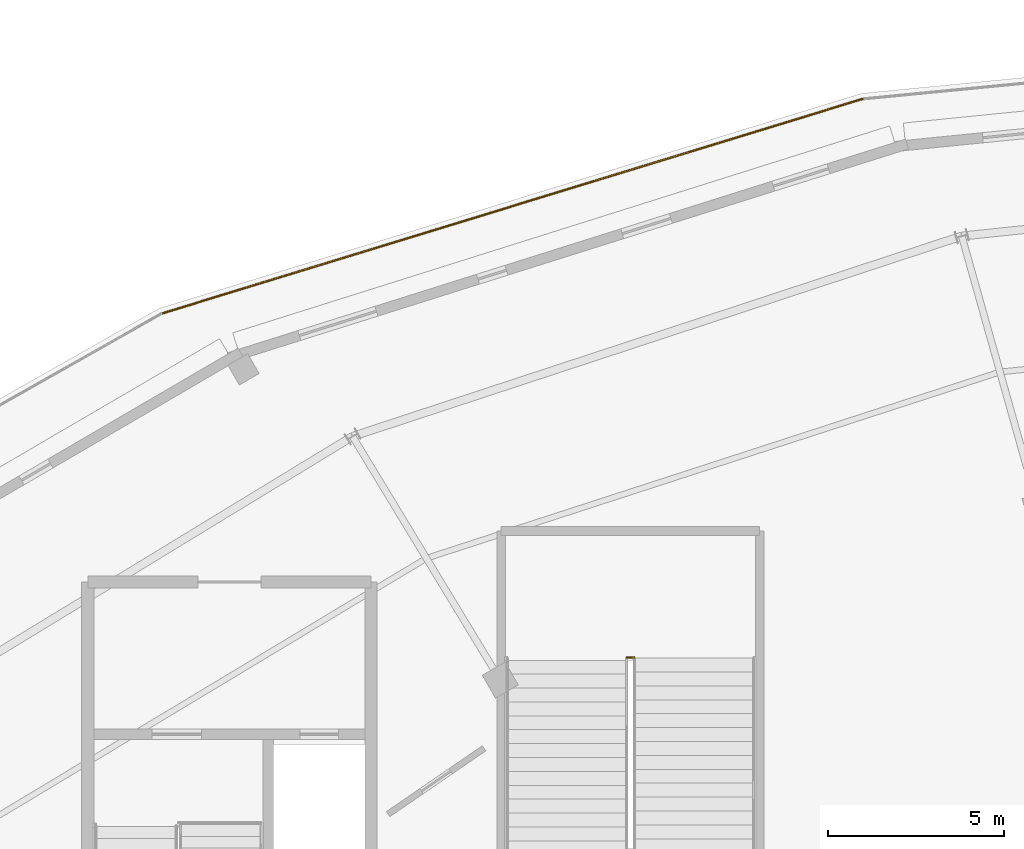
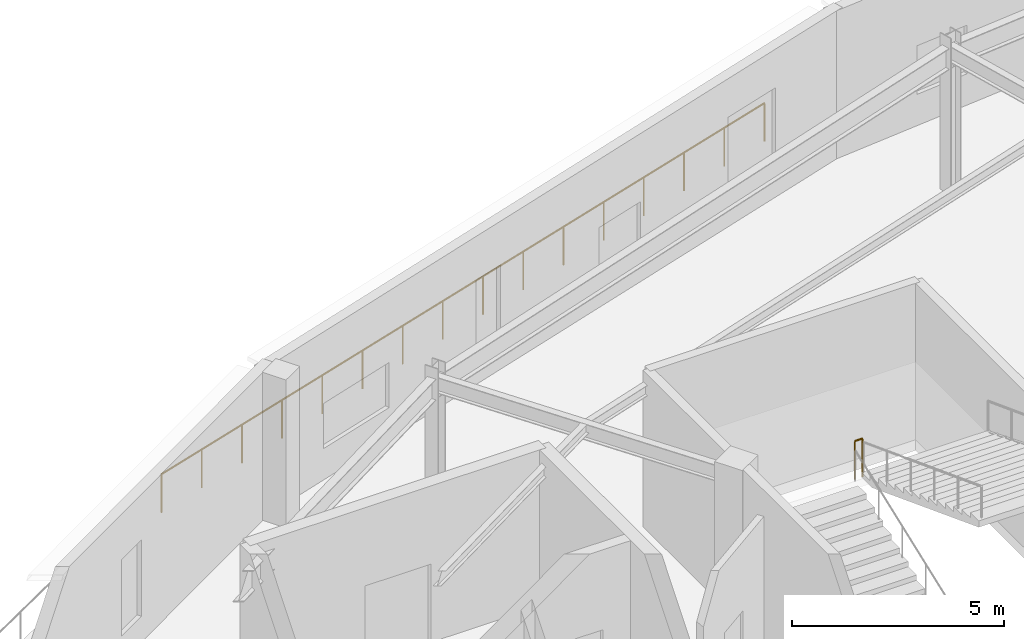
# One storey, part 55 of 63: 2 railings.
"""IFC4 building model written with IfcOpenShell, lengths in metres."""

from ifc_helpers import new_model, si_unit, direction, frame, origin, origin_2d, place, context, subcontext, project, spatial, circle, extrude, material, type_object, element, save


model = new_model("IFC4")

# Units and contexts
model_context = context("Model", 3, precision=1e-05, world=origin(), true_north=direction((0.0, 1.0)))
body_context = subcontext(model_context, "Body", "Model", "MODEL_VIEW")
ifc_project = project(units=[si_unit("LENGTHUNIT", "METRE"), si_unit("AREAUNIT", "SQUARE_METRE"), si_unit("VOLUMEUNIT", "CUBIC_METRE"), si_unit("PLANEANGLEUNIT", "RADIAN"), si_unit("MASSUNIT", "GRAM", prefix="KILO")], contexts=[model_context])

# Site, building, storey
site_placement = place(None, origin())
site = spatial("IfcSite", under=ifc_project, at=site_placement, CompositionType="ELEMENT")
building_placement = place(site_placement, origin())
building = spatial("IfcBuilding", under=site, at=building_placement, Name="Kalgoora Escarpment Arena", CompositionType="ELEMENT")
storey_placement = place(building_placement, frame((0.0, 0.0, 14.39990234375)))
storey = spatial("IfcBuildingStorey", under=building, at=storey_placement, Name="L03", CompositionType="ELEMENT", Elevation=14.39990234375)

# Railings
ifc_material_1 = material(Name="Galvanised & powdercoated tubular steel", Category="steel")
railing_type_1 = type_object("IfcRailingType", Name="RAL-GUARD-1120", PredefinedType="GUARDRAIL", material=ifc_material_1)
railing_1_placement = place(storey_placement, frame((64.294921875, 107.080078125, 2.25)))
element("IfcRailing", 1, at=railing_1_placement, inside=storey, type_object=railing_type_1, Name="ST09 L03 half-landing well guard", PredefinedType="GUARDRAIL", context=body_context, shape_type="SweptSolid", body=[
    extrude(circle(Radius=0.02392578125, at=origin_2d()), frame((0.0, 0.0, 1.09619140625), z_axis=(1.0, 0.0, 0.0), x_axis=(0.0, 1.0, 0.0)), (0.0, 0.0, 1.0), 0.2099609375),
    extrude(circle(Radius=0.02099609375, at=origin_2d()), origin(), (0.0, 0.0, 1.0), 1.072021484375),
    extrude(circle(Radius=0.02099609375, at=origin_2d()), frame((0.2099609375, 0.0, 0.0)), (0.0, 0.0, 1.0), 1.072021484375),
])
ifc_material_2 = material(Name="Champagne anodised aluminium & laminated glass", Category="aluminium")
railing_type_2 = type_object("IfcRailingType", Name="RAL-TERR-1100", PredefinedType="GUARDRAIL", material=ifc_material_2)
railing_2_placement = place(storey_placement, frame((51.063720703125, 116.85302734375, 0.0)))
element("IfcRailing", 2, at=railing_2_placement, inside=storey, type_object=railing_type_2, Name="Upper Planted Elliptical Garden Terrace perimeter guardrail 015", PredefinedType="GUARDRAIL", context=body_context, shape_type="SweptSolid", body=[
    extrude(circle(Radius=0.02392578125, at=origin_2d()), frame((0.0, 0.0, 1.09619140625), z_axis=(0.956190725291, 0.292744422435, 0.0), x_axis=(-0.292744422435, 0.956190725291, 0.0)), (0.0, 0.0, 1.0), 20.85107421875),
    extrude(circle(Radius=0.02099609375, at=origin_2d()), origin(), (0.0, 0.0, 1.0), 1.072021484375),
    extrude(circle(Radius=0.02099609375, at=origin_2d()), frame((1.3291015625, 0.406982421875, 0.0)), (0.0, 0.0, 1.0), 1.072021484375),
    extrude(circle(Radius=0.02099609375, at=origin_2d()), frame((2.658447265625, 0.81396484375, 0.0)), (0.0, 0.0, 1.0), 1.072021484375),
    extrude(circle(Radius=0.02099609375, at=origin_2d()), frame((3.987548828125, 1.220703125, 0.0)), (0.0, 0.0, 1.0), 1.072021484375),
    extrude(circle(Radius=0.02099609375, at=origin_2d()), frame((5.316650390625, 1.627685546875, 0.0)), (0.0, 0.0, 1.0), 1.072021484375),
    extrude(circle(Radius=0.02099609375, at=origin_2d()), frame((6.645751953125, 2.03466796875, 0.0)), (0.0, 0.0, 1.0), 1.072021484375),
    extrude(circle(Radius=0.02099609375, at=origin_2d()), frame((7.97509765625, 2.441650390625, 0.0)), (0.0, 0.0, 1.0), 1.072021484375),
    extrude(circle(Radius=0.02099609375, at=origin_2d()), frame((9.30419921875, 2.8486328125, 0.0)), (0.0, 0.0, 1.0), 1.072021484375),
    extrude(circle(Radius=0.02099609375, at=origin_2d()), frame((10.63330078125, 3.25537109375, 0.0)), (0.0, 0.0, 1.0), 1.072021484375),
    extrude(circle(Radius=0.02099609375, at=origin_2d()), frame((11.96240234375, 3.662353515625, 0.0)), (0.0, 0.0, 1.0), 1.072021484375),
    extrude(circle(Radius=0.02099609375, at=origin_2d()), frame((13.291748046875, 4.0693359375, 0.0)), (0.0, 0.0, 1.0), 1.072021484375),
    extrude(circle(Radius=0.02099609375, at=origin_2d()), frame((14.620849609375, 4.476318359375, 0.0)), (0.0, 0.0, 1.0), 1.072021484375),
    extrude(circle(Radius=0.02099609375, at=origin_2d()), frame((15.949951171875, 4.88330078125, 0.0)), (0.0, 0.0, 1.0), 1.072021484375),
    extrude(circle(Radius=0.02099609375, at=origin_2d()), frame((17.279052734375, 5.2900390625, 0.0)), (0.0, 0.0, 1.0), 1.072021484375),
    extrude(circle(Radius=0.02099609375, at=origin_2d()), frame((18.6083984375, 5.697021484375, 0.0)), (0.0, 0.0, 1.0), 1.072021484375),
    extrude(circle(Radius=0.02099609375, at=origin_2d()), frame((19.9375, 6.10400390625, 0.0)), (0.0, 0.0, 1.0), 1.072021484375),
])

save(model, "model.ifc")
